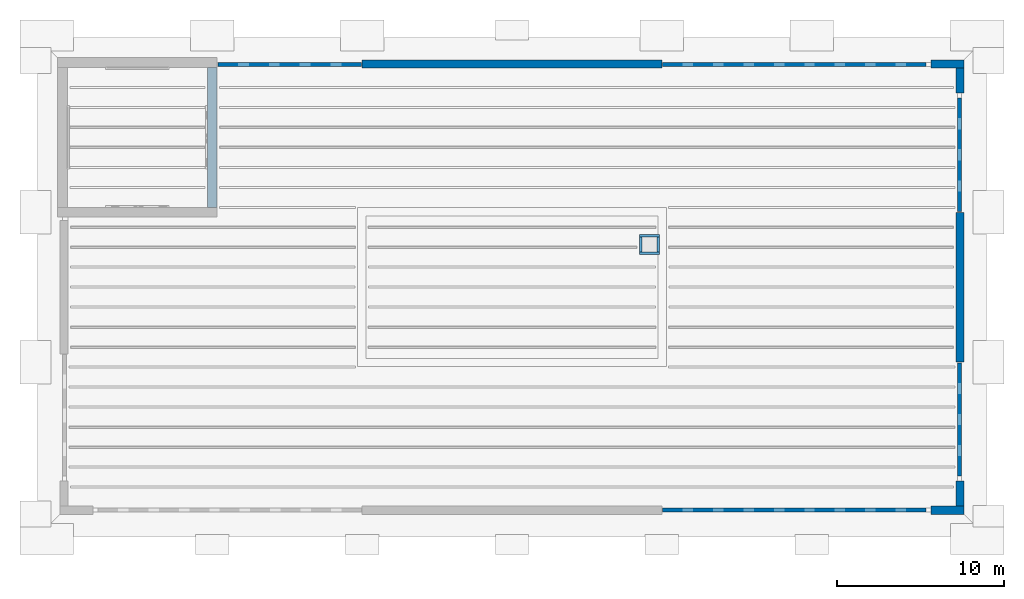
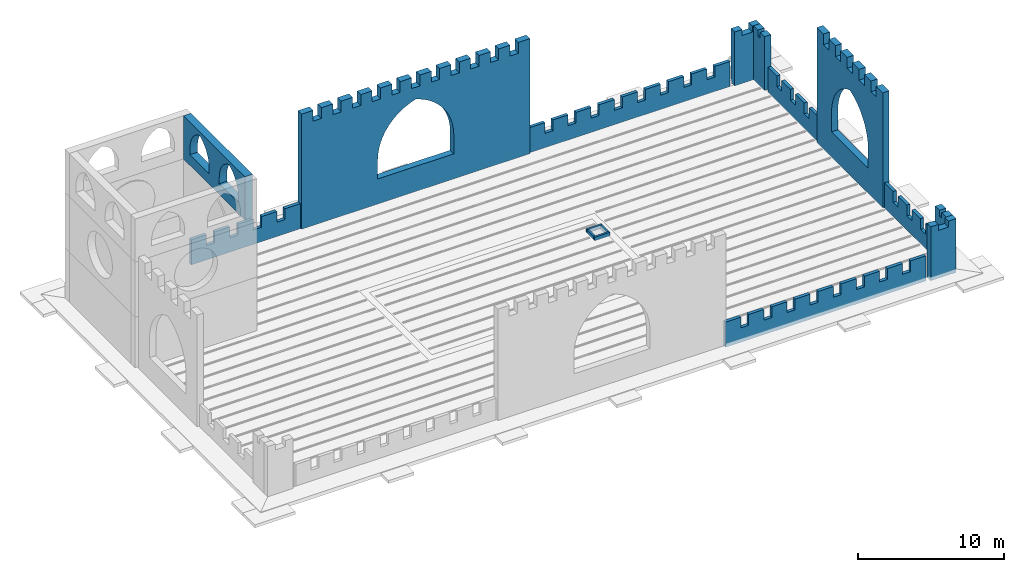
# One storey, part 2 of 4: 16 walls.
"""IFC4 building model written with IfcOpenShell, lengths in metres."""

from ifc_helpers import new_model, si_unit, direction, frame, frame_2d, origin, place, context, subcontext, project, spatial, polyline, rectangle, outline, extrude, material, layer, layer_set, type_object, element, save


model = new_model("IFC4")

# Units and contexts
model_context = context("Model", 3, precision=1e-05, world=origin(), true_north=direction((0.0, 1.0)))
body_context = subcontext(model_context, "Body", "Model", "MODEL_VIEW")
ifc_project = project(units=[si_unit("LENGTHUNIT", "METRE"), si_unit("AREAUNIT", "SQUARE_METRE"), si_unit("VOLUMEUNIT", "CUBIC_METRE"), si_unit("PLANEANGLEUNIT", "RADIAN"), si_unit("MASSUNIT", "GRAM", prefix="KILO")], contexts=[model_context])

# Site, building, storey
site_placement = place(None, origin())
site = spatial("IfcSite", under=ifc_project, at=site_placement, CompositionType="ELEMENT")
building_placement = place(site_placement, origin())
building = spatial("IfcBuilding", under=site, at=building_placement, Name="Baradari Gate Terminus", CompositionType="ELEMENT")
storey_placement = place(building_placement, frame((0.0, 0.0, 36.89990234375)))
storey = spatial("IfcBuildingStorey", under=building, at=storey_placement, Name="ROOF", CompositionType="ELEMENT", Elevation=36.89990234375)

# Walls
ifc_material_1 = material(Name="Precast concrete C40/50", Category="concrete")
ifc_layer_1 = layer(ifc_material_1, 0.60009765625)
ifc_layer_set_1 = layer_set([ifc_layer_1], Name="Precast concrete C40/50")
wall_type_1 = type_object("IfcWallType", Name="Clock tower wall CK-1 600", PredefinedType="SOLIDWALL", material=ifc_layer_set_1)
wall_1_placement = place(storey_placement, frame((18.0, 135.300048828125, 9.10009765625), z_axis=(0.0, 0.0, 1.0), x_axis=(0.0, 1.0, 0.0)))
element("IfcWall", 1, at=wall_1_placement, inside=storey, type_object=wall_type_1, Name="Clock tower E wall, stage 3", PredefinedType="SOLIDWALL", context=body_context, shape_type="SweptSolid", body=[
    extrude(outline(polyline([(8.39990234375, 0.0), (8.39990234375, 3.60009765625), (0.0, 3.60009765625), (0.0, 0.0), (8.39990234375, 0.0)]), holes=[polyline([(0.89990234375, 0.89990234375), (0.89990234375, 1.39990234375), (0.91015625, 1.603515625), (0.940673828125, 1.804931640625), (0.9912109375, 2.00244140625), (1.060791015625, 2.19384765625), (1.149658203125, 2.37744140625), (1.256103515625, 2.551025390625), (1.37939453125, 2.71337890625), (1.518310546875, 2.8623046875), (1.67138671875, 2.996826171875), (1.837158203125, 3.115478515625), (2.013916015625, 3.216796875), (2.199951171875, 3.300048828125), (2.385986328125, 3.216796875), (2.562744140625, 3.115478515625), (2.728515625, 2.996826171875), (2.881591796875, 2.8623046875), (3.0205078125, 2.71337890625), (3.143798828125, 2.551025390625), (3.25048828125, 2.37744140625), (3.339111328125, 2.19384765625), (3.408935546875, 2.00244140625), (3.45947265625, 1.804931640625), (3.48974609375, 1.603515625), (3.5, 1.39990234375), (3.5, 0.89990234375), (0.89990234375, 0.89990234375)]), polyline([(4.89990234375, 0.89990234375), (4.89990234375, 1.39990234375), (4.91015625, 1.603515625), (4.940673828125, 1.804931640625), (4.9912109375, 2.00244140625), (5.060791015625, 2.19384765625), (5.149658203125, 2.37744140625), (5.256103515625, 2.551025390625), (5.37939453125, 2.71337890625), (5.518310546875, 2.8623046875), (5.67138671875, 2.996826171875), (5.837158203125, 3.115478515625), (6.013916015625, 3.216796875), (6.199951171875, 3.300048828125), (6.385986328125, 3.216796875), (6.562744140625, 3.115478515625), (6.728515625, 2.996826171875), (6.881591796875, 2.8623046875), (7.0205078125, 2.71337890625), (7.143798828125, 2.551025390625), (7.25048828125, 2.37744140625), (7.339111328125, 2.19384765625), (7.408935546875, 2.00244140625), (7.45947265625, 1.804931640625), (7.48974609375, 1.603515625), (7.5, 1.39990234375), (7.5, 0.89990234375), (4.89990234375, 0.89990234375)])]), frame((0.0, 0.300048828125, 0.0), z_axis=(0.0, -1.0, 0.0), x_axis=(1.0, 0.0, 0.0)), (0.0, 0.0, 1.0), 0.60009765625),
])
ifc_material_2 = material(Name="Precast concrete C40/50", Category="concrete")
ifc_layer_2 = layer(ifc_material_2, 0.5)
ifc_layer_set_2 = layer_set([ifc_layer_2], Name="Precast concrete C40/50")
wall_type_2 = type_object("IfcWallType", Name="Crest screen wall CS-1 500", PredefinedType="SOLIDWALL", material=ifc_layer_set_2)
wall_2_placement = place(storey_placement, frame((27.0, 143.89990234375, 0.0), z_axis=(0.0, 0.0, 1.0), x_axis=(1.0, 0.0, 0.0)))
element("IfcWall", 2, at=wall_2_placement, inside=storey, type_object=wall_type_2, Name="Crest screen N", PredefinedType="SOLIDWALL", context=body_context, shape_type="SweptSolid", body=[
    extrude(outline(polyline([(0.0, 0.0), (18.0, 0.0), (18.0, 8.7001953125), (18.0, 8.7001953125), (18.0, 9.60009765625), (17.10009765625, 9.60009765625), (17.10009765625, 8.7001953125), (16.445556640625, 8.7001953125), (16.445556640625, 9.60009765625), (15.54541015625, 9.60009765625), (15.54541015625, 8.7001953125), (14.890869140625, 8.7001953125), (14.890869140625, 9.60009765625), (13.990966796875, 9.60009765625), (13.990966796875, 8.7001953125), (13.33642578125, 8.7001953125), (13.33642578125, 9.60009765625), (12.436279296875, 9.60009765625), (12.436279296875, 8.7001953125), (11.78173828125, 8.7001953125), (11.78173828125, 9.60009765625), (10.8818359375, 9.60009765625), (10.8818359375, 8.7001953125), (10.227294921875, 8.7001953125), (10.227294921875, 9.60009765625), (9.327392578125, 9.60009765625), (9.327392578125, 8.7001953125), (8.672607421875, 8.7001953125), (8.672607421875, 9.60009765625), (7.772705078125, 9.60009765625), (7.772705078125, 8.7001953125), (7.1181640625, 8.7001953125), (7.1181640625, 9.60009765625), (6.21826171875, 9.60009765625), (6.21826171875, 8.7001953125), (5.563720703125, 8.7001953125), (5.563720703125, 9.60009765625), (4.66357421875, 9.60009765625), (4.66357421875, 8.7001953125), (4.009033203125, 8.7001953125), (4.009033203125, 9.60009765625), (3.109130859375, 9.60009765625), (3.109130859375, 8.7001953125), (2.45458984375, 8.7001953125), (2.45458984375, 9.60009765625), (1.554443359375, 9.60009765625), (1.554443359375, 8.7001953125), (0.89990234375, 8.7001953125), (0.89990234375, 9.60009765625), (0.0, 9.60009765625), (0.0, 8.7001953125), (0.0, 8.650146484375), (0.0, 0.0)]), holes=[polyline([(6.0, 2.10009765625), (6.0, 3.7001953125), (6.02392578125, 4.14599609375), (6.095458984375, 4.5869140625), (6.2138671875, 5.017578125), (6.377685546875, 5.433349609375), (6.5849609375, 5.828857421875), (6.833251953125, 6.2001953125), (7.1201171875, 6.54248046875), (7.44189453125, 6.852294921875), (7.794921875, 7.1259765625), (8.17529296875, 7.360107421875), (8.57861328125, 7.55224609375), (9.0, 7.7001953125), (9.42138671875, 7.55224609375), (9.82470703125, 7.360107421875), (10.205078125, 7.1259765625), (10.55810546875, 6.852294921875), (10.8798828125, 6.54248046875), (11.166748046875, 6.2001953125), (11.4150390625, 5.828857421875), (11.622314453125, 5.433349609375), (11.7861328125, 5.017578125), (11.904541015625, 4.5869140625), (11.97607421875, 4.14599609375), (12.0, 3.7001953125), (12.0, 2.10009765625), (6.0, 2.10009765625)])]), frame((0.0, 0.25, 0.0), z_axis=(0.0, -1.0, 0.0), x_axis=(1.0, 0.0, 0.0)), (0.0, 0.0, 1.0), 0.5),
])
wall_3_placement = place(storey_placement, frame((62.89990234375, 126.0, 0.0), z_axis=(0.0, 0.0, 1.0), x_axis=(0.0, 1.0, 0.0)))
element("IfcWall", 3, at=wall_3_placement, inside=storey, type_object=wall_type_2, Name="Crest screen E", PredefinedType="SOLIDWALL", context=body_context, shape_type="SweptSolid", body=[
    extrude(outline(polyline([(9.0, 0.0), (9.0, 8.650146484375), (9.0, 8.650146484375), (9.0, 9.60009765625), (8.10009765625, 9.60009765625), (8.10009765625, 8.7001953125), (7.3798828125, 8.7001953125), (7.3798828125, 9.60009765625), (6.47998046875, 9.60009765625), (6.47998046875, 8.7001953125), (5.760009765625, 8.7001953125), (5.760009765625, 9.60009765625), (4.860107421875, 9.60009765625), (4.860107421875, 8.7001953125), (4.139892578125, 8.7001953125), (4.139892578125, 9.60009765625), (3.239990234375, 9.60009765625), (3.239990234375, 8.7001953125), (2.52001953125, 8.7001953125), (2.52001953125, 9.60009765625), (1.6201171875, 9.60009765625), (1.6201171875, 8.7001953125), (0.89990234375, 8.7001953125), (0.89990234375, 9.60009765625), (0.0, 9.60009765625), (0.0, 8.7001953125), (0.0, 8.650146484375), (0.0, 0.0), (9.0, 0.0)]), holes=[polyline([(2.0, 2.10009765625), (2.0, 3.7001953125), (2.02001953125, 4.07568359375), (2.079345703125, 4.447265625), (2.177490234375, 4.810546875), (2.3134765625, 5.161376953125), (2.485595703125, 5.49560546875), (2.6923828125, 5.810302734375), (2.930908203125, 6.10107421875), (3.19873046875, 6.365234375), (3.492919921875, 6.599609375), (3.810302734375, 6.8017578125), (4.147216796875, 6.968994140625), (4.5, 7.10009765625), (4.852783203125, 6.968994140625), (5.189697265625, 6.8017578125), (5.507080078125, 6.599609375), (5.80126953125, 6.365234375), (6.069091796875, 6.10107421875), (6.3076171875, 5.810302734375), (6.514404296875, 5.49560546875), (6.6865234375, 5.161376953125), (6.822509765625, 4.810546875), (6.920654296875, 4.447265625), (6.97998046875, 4.07568359375), (7.0, 3.7001953125), (7.0, 2.10009765625), (2.0, 2.10009765625)])]), frame((0.0, 0.25, 0.0), z_axis=(0.0, -1.0, 0.0), x_axis=(1.0, 0.0, 0.0)), (0.0, 0.0, 1.0), 0.5),
])
wall_4_placement = place(storey_placement, frame((63.14990234375, 143.89990234375, 0.0), z_axis=(0.0, 0.0, 1.0), x_axis=(-1.0, 0.0, 0.0)))
element("IfcWall", 4, at=wall_4_placement, inside=storey, type_object=wall_type_2, Name="Corner block 1A", PredefinedType="SOLIDWALL", context=body_context, shape_type="SweptSolid", body=[
    extrude(outline(polyline([(2.0, 3.9501953125), (2.0, 4.0), (2.0, 4.5), (1.39990234375, 4.5), (1.39990234375, 4.0), (0.60009765625, 4.0), (0.60009765625, 4.5), (0.0, 4.5), (0.0, 4.0), (0.0, 3.9501953125), (0.0, 0.0), (2.0, 0.0), (2.0, 3.9501953125)])), frame((0.0, 0.25, 0.0), z_axis=(0.0, -1.0, 0.0), x_axis=(1.0, 0.0, 0.0)), (0.0, 0.0, 1.0), 0.5),
])
wall_5_placement = place(storey_placement, frame((62.89990234375, 143.64990234375, 0.0), z_axis=(0.0, 0.0, 1.0), x_axis=(0.0, -1.0, 0.0)))
element("IfcWall", 5, at=wall_5_placement, inside=storey, type_object=wall_type_2, Name="Corner block 1B", PredefinedType="SOLIDWALL", context=body_context, shape_type="SweptSolid", body=[
    extrude(outline(polyline([(1.5, 3.9501953125), (1.5, 4.0), (1.5, 4.5), (0.89990234375, 4.5), (0.89990234375, 4.0), (0.60009765625, 4.0), (0.60009765625, 4.5), (0.0, 4.5), (0.0, 4.0), (0.0, 3.9501953125), (0.0, 0.0), (1.5, 0.0), (1.5, 3.9501953125)])), frame((0.0, 0.25, 0.0), z_axis=(0.0, -1.0, 0.0), x_axis=(1.0, 0.0, 0.0)), (0.0, 0.0, 1.0), 0.5),
])
wall_6_placement = place(storey_placement, frame((63.14990234375, 117.10009765625, 0.0), z_axis=(0.0, 0.0, 1.0), x_axis=(-1.0, 0.0, 0.0)))
element("IfcWall", 6, at=wall_6_placement, inside=storey, type_object=wall_type_2, Name="Corner block 2A", PredefinedType="SOLIDWALL", context=body_context, shape_type="SweptSolid", body=[
    extrude(outline(polyline([(2.0, 3.9501953125), (2.0, 4.0), (2.0, 4.5), (1.39990234375, 4.5), (1.39990234375, 4.0), (0.60009765625, 4.0), (0.60009765625, 4.5), (0.0, 4.5), (0.0, 4.0), (0.0, 3.9501953125), (0.0, 0.0), (2.0, 0.0), (2.0, 3.9501953125)])), frame((0.0, 0.25, 0.0), z_axis=(0.0, -1.0, 0.0), x_axis=(1.0, 0.0, 0.0)), (0.0, 0.0, 1.0), 0.5),
])
wall_7_placement = place(storey_placement, frame((62.89990234375, 117.35009765625, 0.0), z_axis=(0.0, 0.0, 1.0), x_axis=(0.0, 1.0, 0.0)))
element("IfcWall", 7, at=wall_7_placement, inside=storey, type_object=wall_type_2, Name="Corner block 2B", PredefinedType="SOLIDWALL", context=body_context, shape_type="SweptSolid", body=[
    extrude(outline(polyline([(1.5, 3.9501953125), (1.5, 4.0), (1.5, 4.5), (0.89990234375, 4.5), (0.89990234375, 4.0), (0.60009765625, 4.0), (0.60009765625, 4.5), (0.0, 4.5), (0.0, 4.0), (0.0, 3.9501953125), (0.0, 0.0), (1.5, 0.0), (1.5, 3.9501953125)])), frame((0.0, 0.25, 0.0), z_axis=(0.0, -1.0, 0.0), x_axis=(1.0, 0.0, 0.0)), (0.0, 0.0, 1.0), 0.5),
])
ifc_material_3 = material(Name="Concrete C32/40 precast", Category="concrete")
ifc_layer_3 = layer(ifc_material_3, 0.25)
ifc_layer_set_3 = layer_set([ifc_layer_3], Name="Concrete C32/40 precast")
wall_type_3 = type_object("IfcWallType", Name="Parapet PW-5 250x2100 Operations crown", PredefinedType="PARAPET", material=ifc_layer_set_3)
wall_8_placement = place(storey_placement, frame((45.050048828125, 117.125, 0.0), z_axis=(0.0, 0.0, 1.0), x_axis=(1.0, 0.0, 0.0)))
element("IfcWall", 8, at=wall_8_placement, inside=storey, type_object=wall_type_3, Name="Block roof parapet PR-T1 2 1", PredefinedType="PARAPET", context=body_context, shape_type="SweptSolid", body=[
    extrude(outline(polyline([(1.199951171875, 1.2001953125), (1.199951171875, 2.10009765625), (0.0, 2.10009765625), (0.0, 0.0), (15.800048828125, 0.0), (15.800048828125, 2.10009765625), (14.60009765625, 2.10009765625), (14.60009765625, 1.2001953125), (13.97509765625, 1.2001953125), (13.97509765625, 2.10009765625), (12.77490234375, 2.10009765625), (12.77490234375, 1.2001953125), (12.14990234375, 1.2001953125), (12.14990234375, 2.10009765625), (10.949951171875, 2.10009765625), (10.949951171875, 1.2001953125), (10.324951171875, 1.2001953125), (10.324951171875, 2.10009765625), (9.125, 2.10009765625), (9.125, 1.2001953125), (8.5, 1.2001953125), (8.5, 2.10009765625), (7.300048828125, 2.10009765625), (7.300048828125, 1.2001953125), (6.675048828125, 1.2001953125), (6.675048828125, 2.10009765625), (5.47509765625, 2.10009765625), (5.47509765625, 1.2001953125), (4.85009765625, 1.2001953125), (4.85009765625, 2.10009765625), (3.64990234375, 2.10009765625), (3.64990234375, 1.2001953125), (3.02490234375, 1.2001953125), (3.02490234375, 2.10009765625), (1.824951171875, 2.10009765625), (1.824951171875, 1.2001953125), (1.199951171875, 1.2001953125)])), frame((0.0, 0.125, 0.0), z_axis=(0.0, -1.0, 0.0), x_axis=(1.0, 0.0, 0.0)), (0.0, 0.0, 1.0), 0.25),
])
for number, where, z_axis, x_axis, name in (
    (9, (62.875, 119.14990234375, 0.0), (0.0, 0.0, 1.0), (0.0, 1.0, 0.0), "Block roof parapet PR-T2 1 1"),
    (10, (62.875, 135.050048828125, 0.0), (0.0, 0.0, 1.0), (0.0, 1.0, 0.0), "Block roof parapet PR-T2 2 1"),
):
    element("IfcWall", number, at=place(storey_placement, frame(where, z_axis=z_axis, x_axis=x_axis)), inside=storey, type_object=wall_type_3, Name=name, PredefinedType="PARAPET", context=body_context, shape_type="SweptSolid", body=[
        extrude(outline(polyline([(6.800048828125, 0.0), (6.800048828125, 2.10009765625), (5.60009765625, 2.10009765625), (5.60009765625, 1.2001953125), (4.933349609375, 1.2001953125), (4.933349609375, 2.10009765625), (3.7333984375, 2.10009765625), (3.7333984375, 1.2001953125), (3.066650390625, 1.2001953125), (3.066650390625, 2.10009765625), (1.86669921875, 2.10009765625), (1.86669921875, 1.2001953125), (1.199951171875, 1.2001953125), (1.199951171875, 2.10009765625), (0.0, 2.10009765625), (0.0, 0.0), (6.800048828125, 0.0)])), frame((0.0, 0.125, 0.0), z_axis=(0.0, -1.0, 0.0), x_axis=(1.0, 0.0, 0.0)), (0.0, 0.0, 1.0), 0.25),
    ])
wall_9_placement = place(storey_placement, frame((60.85009765625, 143.875, 0.0), z_axis=(0.0, 0.0, 1.0), x_axis=(-1.0, 0.0, 0.0)))
element("IfcWall", 11, at=wall_9_placement, inside=storey, type_object=wall_type_3, Name="Block roof parapet PR-T3 1 1", PredefinedType="PARAPET", context=body_context, shape_type="SweptSolid", body=[
    extrude(outline(polyline([(1.199951171875, 1.2001953125), (1.199951171875, 2.10009765625), (0.0, 2.10009765625), (0.0, 0.0), (15.800048828125, 0.0), (15.800048828125, 2.10009765625), (14.60009765625, 2.10009765625), (14.60009765625, 1.2001953125), (13.97509765625, 1.2001953125), (13.97509765625, 2.10009765625), (12.77490234375, 2.10009765625), (12.77490234375, 1.2001953125), (12.14990234375, 1.2001953125), (12.14990234375, 2.10009765625), (10.949951171875, 2.10009765625), (10.949951171875, 1.2001953125), (10.324951171875, 1.2001953125), (10.324951171875, 2.10009765625), (9.125, 2.10009765625), (9.125, 1.2001953125), (8.5, 1.2001953125), (8.5, 2.10009765625), (7.300048828125, 2.10009765625), (7.300048828125, 1.2001953125), (6.675048828125, 1.2001953125), (6.675048828125, 2.10009765625), (5.47509765625, 2.10009765625), (5.47509765625, 1.2001953125), (4.85009765625, 1.2001953125), (4.85009765625, 2.10009765625), (3.64990234375, 2.10009765625), (3.64990234375, 1.2001953125), (3.02490234375, 1.2001953125), (3.02490234375, 2.10009765625), (1.824951171875, 2.10009765625), (1.824951171875, 1.2001953125), (1.199951171875, 1.2001953125)])), frame((0.0, 0.125, 0.0), z_axis=(0.0, -1.0, 0.0), x_axis=(1.0, 0.0, 0.0)), (0.0, 0.0, 1.0), 0.25),
])
wall_10_placement = place(storey_placement, frame((26.949951171875, 143.875, 0.0), z_axis=(0.0, 0.0, 1.0), x_axis=(-1.0, 0.0, 0.0)))
element("IfcWall", 12, at=wall_10_placement, inside=storey, type_object=wall_type_3, Name="Block roof parapet PR-T3 2 1", PredefinedType="PARAPET", context=body_context, shape_type="SweptSolid", body=[
    extrude(outline(polyline([(8.60009765625, 0.0), (8.60009765625, 2.10009765625), (7.39990234375, 2.10009765625), (7.39990234375, 1.2001953125), (6.75, 1.2001953125), (6.75, 2.10009765625), (5.550048828125, 2.10009765625), (5.550048828125, 1.2001953125), (4.89990234375, 1.2001953125), (4.89990234375, 2.10009765625), (3.699951171875, 2.10009765625), (3.699951171875, 1.2001953125), (3.050048828125, 1.2001953125), (3.050048828125, 2.10009765625), (1.85009765625, 2.10009765625), (1.85009765625, 1.2001953125), (1.199951171875, 1.2001953125), (1.199951171875, 2.10009765625), (0.0, 2.10009765625), (0.0, 0.0), (8.60009765625, 0.0)])), frame((0.0, 0.125, 0.0), z_axis=(0.0, -1.0, 0.0), x_axis=(1.0, 0.0, 0.0)), (0.0, 0.0, 1.0), 0.25),
])
ifc_material_4 = material(Name="Concrete C25/30", Category="concrete")
ifc_layer_4 = layer(ifc_material_4, 0.14990234375)
ifc_layer_set_4 = layer_set([ifc_layer_4], Name="Concrete C25/30")
wall_type_4 = type_object("IfcWallType", Name="Roof hatch kerb HK-1 150", PredefinedType="PARAPET", material=ifc_layer_set_4)
wall_11_placement = place(storey_placement, frame((43.64990234375, 132.52490234375, 0.0), z_axis=(0.0, 0.0, 1.0), x_axis=(1.0, 0.0, 0.0)))
element("IfcWall", 13, at=wall_11_placement, inside=storey, type_object=wall_type_4, Name="Roof hatch kerb wall RH5", PredefinedType="PARAPET", context=body_context, shape_type="SweptSolid", body=[
    extrude(rectangle(XDim=1.2001953125, YDim=0.14990234375, at=frame_2d((0.60009765625, 0.0))), origin(), (0.0, 0.0, 1.0), 0.300048828125),
])
wall_12_placement = place(storey_placement, frame((44.77490234375, 132.60009765625, 0.0), z_axis=(0.0, 0.0, 1.0), x_axis=(0.0, 1.0, 0.0)))
element("IfcWall", 14, at=wall_12_placement, inside=storey, type_object=wall_type_4, Name="Roof hatch kerb wall RH5", PredefinedType="PARAPET", context=body_context, shape_type="SweptSolid", body=[
    extrude(rectangle(XDim=0.89990234375, YDim=0.14990234375, at=frame_2d((0.449951171875, 0.0))), origin(), (0.0, 0.0, 1.0), 0.300048828125),
])
wall_13_placement = place(storey_placement, frame((44.85009765625, 133.574951171875, 0.0), z_axis=(0.0, 0.0, 1.0), x_axis=(-1.0, 0.0, 0.0)))
element("IfcWall", 15, at=wall_13_placement, inside=storey, type_object=wall_type_4, Name="Roof hatch kerb wall RH5", PredefinedType="PARAPET", context=body_context, shape_type="SweptSolid", body=[
    extrude(rectangle(XDim=1.2001953125, YDim=0.14990234375, at=frame_2d((0.60009765625, 0.0))), origin(), (0.0, 0.0, 1.0), 0.300048828125),
])
wall_14_placement = place(storey_placement, frame((43.72509765625, 133.5, 0.0), z_axis=(0.0, 0.0, 1.0), x_axis=(0.0, -1.0, 0.0)))
element("IfcWall", 16, at=wall_14_placement, inside=storey, type_object=wall_type_4, Name="Roof hatch kerb wall RH5", PredefinedType="PARAPET", context=body_context, shape_type="SweptSolid", body=[
    extrude(rectangle(XDim=0.89990234375, YDim=0.14990234375, at=frame_2d((0.449951171875, 0.0))), origin(), (0.0, 0.0, 1.0), 0.300048828125),
])

save(model, "model.ifc")
